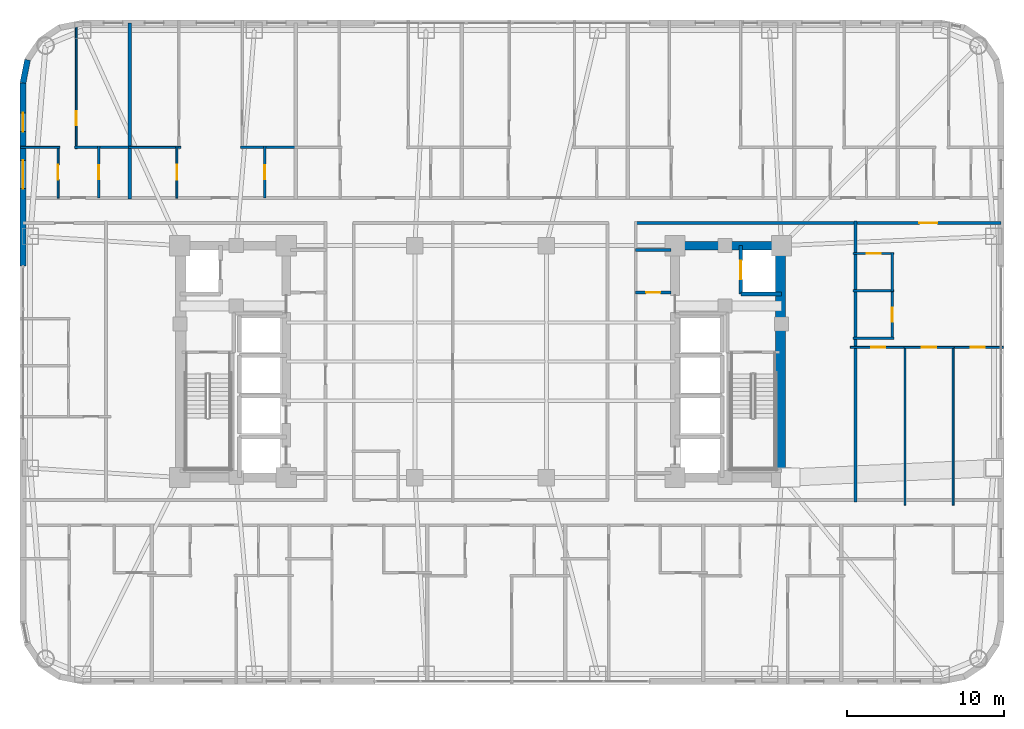
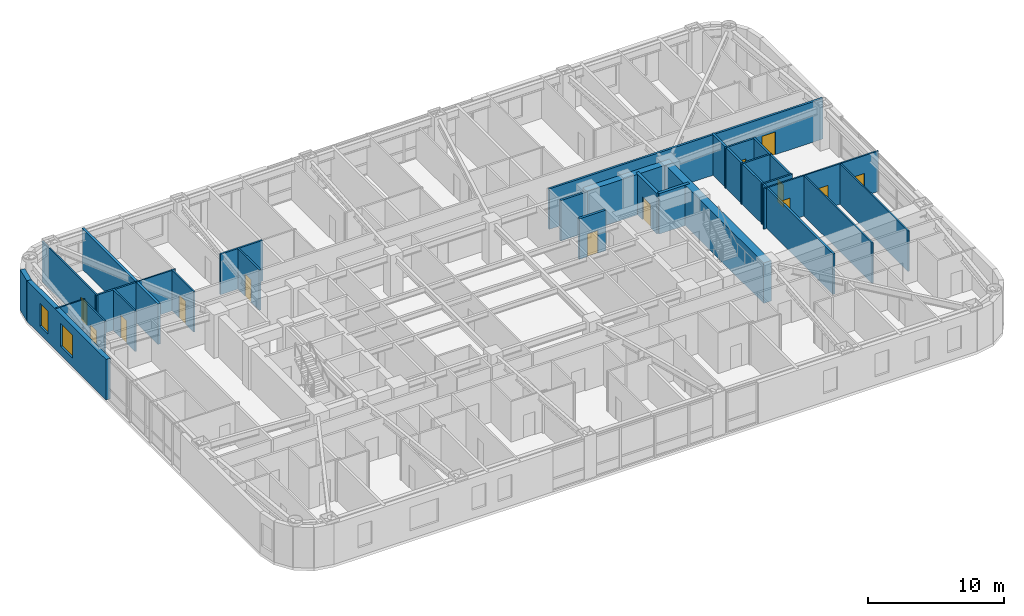
# One storey, part 24 of 28: 30 walls, 13 doors, 2 windows, 15 openings.
"""IFC4 building model written with IfcOpenShell, lengths in metres."""

from ifc_helpers import new_model, si_unit, direction, frame, frame_2d, origin, place, context, subcontext, project, spatial, rectangle, extrude, material, layer, layer_set, type_object, element, fill, save


model = new_model("IFC4")

# Units and contexts
model_context = context("Model", 3, precision=1e-05, world=origin(), true_north=direction((0.0, 1.0)))
body_context = subcontext(model_context, "Body", "Model", "MODEL_VIEW")
ifc_project = project(units=[si_unit("LENGTHUNIT", "METRE"), si_unit("AREAUNIT", "SQUARE_METRE"), si_unit("VOLUMEUNIT", "CUBIC_METRE"), si_unit("PLANEANGLEUNIT", "RADIAN"), si_unit("MASSUNIT", "GRAM", prefix="KILO")], contexts=[model_context])

# Site, building, storey
site_placement = place(None, origin())
site = spatial("IfcSite", under=ifc_project, at=site_placement, CompositionType="ELEMENT")
building_placement = place(site_placement, origin())
building = spatial("IfcBuilding", under=site, at=building_placement, Name="Voryun Gate Residences", CompositionType="ELEMENT")
storey_placement = place(building_placement, frame((0.0, 0.0, 117.0)))
storey = spatial("IfcBuildingStorey", under=building, at=storey_placement, Name="L28", CompositionType="ELEMENT", Elevation=117.0)

# Walls
ifc_material_1 = material(Name="Concrete C60/75", Category="concrete")
ifc_layer_1 = layer(ifc_material_1, 0.550048828125, Name="CW_CORE_550")
ifc_layer_set_1 = layer_set([ifc_layer_1], Name="Concrete C60/75")
wall_type_1 = type_object("IfcWallType", Name="CW_CORE_550", PredefinedType="SHEAR", material=ifc_layer_set_1)
wall_1_placement = place(storey_placement, frame((12.125, 7.39990234375, 0.0), z_axis=(0.0, 0.0, 1.0), x_axis=(1.0, 0.0, 0.0)))
element("IfcWall", 1, at=wall_1_placement, inside=storey, type_object=wall_type_1, Name="L28 Core shear wall CW-L28-EN", PredefinedType="SHEAR", context=body_context, shape_type="SweptSolid", body=[
    extrude(rectangle(XDim=7.35009765625, YDim=0.550048828125, at=frame_2d((3.675048828125, 0.0))), origin(), (0.0, 0.0, 1.0), 3.64990234375),
])
ifc_material_2 = material(Name="Concrete C60/75", Category="concrete")
ifc_layer_2 = layer(ifc_material_2, 0.64990234375, Name="CW_CORE_650")
ifc_layer_set_2 = layer_set([ifc_layer_2], Name="Concrete C60/75")
wall_type_2 = type_object("IfcWallType", Name="CW_CORE_650", PredefinedType="SHEAR", material=ifc_layer_set_2)
wall_2_placement = place(storey_placement, frame((19.14501953125, -7.39990234375, 0.0), z_axis=(0.0, 0.0, 1.0), x_axis=(0.0, 1.0, 0.0)))
element("IfcWall", 2, at=wall_2_placement, inside=storey, type_object=wall_type_2, Name="L28 Core shear wall CW-L28-EE", PredefinedType="SHEAR", context=body_context, shape_type="SweptSolid", body=[
    extrude(rectangle(XDim=14.7998046875, YDim=0.64990234375, at=frame_2d((7.39990234375, 0.0))), origin(), (0.0, 0.0, 1.0), 3.64990234375),
])
ifc_material_3 = material(Name="Gypsum acoustic fireboard")
ifc_layer_3 = layer(ifc_material_3, 0.179931640625, Name="W_CORR_RATED_180")
ifc_layer_set_3 = layer_set([ifc_layer_3], Name="Gypsum acoustic fireboard")
wall_type_3 = type_object("IfcWallType", Name="W_CORR_RATED_180", PredefinedType="PARTITIONING", material=ifc_layer_set_3)
wall_3_placement = place(storey_placement, frame((9.8798828125, 7.1201171875, 0.0), z_axis=(0.0, 0.0, 1.0), x_axis=(1.0, 0.0, 0.0)))
element("IfcWall", 3, at=wall_3_placement, inside=storey, type_object=wall_type_3, Name="Partition wall WP-L28-PLBN-E", PredefinedType="PARTITIONING", context=body_context, shape_type="SweptSolid", body=[
    extrude(rectangle(XDim=2.27001953125, YDim=0.179931640625, at=frame_2d((1.135009765625, 0.0))), origin(), (0.0, 0.0, 1.0), 3.64990234375),
])

# Wall, opening, door
wall_4_placement = place(storey_placement, frame((9.8798828125, 8.840087890625, 0.0), z_axis=(0.0, 0.0, 1.0), x_axis=(1.0, 0.0, 0.0)))
wall_4 = element("IfcWall", 4, at=wall_4_placement, inside=storey, type_object=wall_type_3, Name="Partition wall WP-L28-CWING-EN", PredefinedType="PARTITIONING", context=body_context, shape_type="SweptSolid", body=[
    extrude(rectangle(XDim=23.330078125, YDim=0.179931640625, at=frame_2d((11.6650390625, 0.0))), origin(), (0.0, 0.0, 1.0), 3.64990234375),
])
opening_1_placement = place(wall_4_placement, frame((18.11474609375, 0.0, 0.0)))
opening_1 = element("IfcOpeningElement", 5, at=opening_1_placement, cuts=wall_4, Name="Opening D-UNIT-1", PredefinedType="OPENING", context=body_context, shape_type="SweptSolid", body=[
    extrude(rectangle(XDim=1.14990234375, YDim=2.050048828125, at=frame_2d((0.574951171875, 1.02490234375))), frame((0.0, 0.099853515625, 0.0), z_axis=(0.0, -1.0, 0.0), x_axis=(1.0, 0.0, 0.0)), (0.0, 0.0, 1.0), 0.199951171875),
])
ifc_material_4 = material(Name="Armoured timber-clad fire door", Category="wood")
door_type_1 = type_object("IfcDoorType", Name="DR_UNIT_ENTRY_1150", OperationType="NOTDEFINED", PredefinedType="DOOR", material=ifc_material_4)
door_1_placement = place(opening_1_placement, origin())
door_1 = element("IfcDoor", 6, at=door_1_placement, inside=storey, type_object=door_type_1, Name="Door DR-L28-EE1N", OperationType="SINGLE_SWING_LEFT", OverallHeight=2.050048828125, OverallWidth=1.14990234375, PredefinedType="DOOR", context=body_context, shape_type="SweptSolid", body=[
    extrude(rectangle(XDim=1.14990234375, YDim=2.050048828125, at=frame_2d((0.574951171875, 1.02490234375))), frame((0.0, 0.02490234375, 0.0), z_axis=(0.0, -1.0, 0.0), x_axis=(1.0, 0.0, 0.0)), (0.0, 0.0, 1.0), 0.050048828125),
])
fill(opening_1, door_1)

# Wall
wall_5_placement = place(storey_placement, frame((23.919921875, -8.9599609375, 0.0), z_axis=(0.0, 0.0, 1.0), x_axis=(0.0, 1.0, 0.0)))
element("IfcWall", 7, at=wall_5_placement, inside=storey, type_object=wall_type_3, Name="Partition wall WP-L28-ECOR", PredefinedType="PARTITIONING", context=body_context, shape_type="SweptSolid", body=[
    extrude(rectangle(XDim=17.919921875, YDim=0.179931640625, at=frame_2d((8.9599609375, 0.0))), origin(), (0.0, 0.0, 1.0), 3.64990234375),
])

# Wall, openings, windows
ifc_material_5 = material(Name="Granite masonry", Category="masonry")
ifc_layer_4 = layer(ifc_material_5, 0.3798828125, Name="W_EXT_GRANITE_380")
ifc_layer_set_4 = layer_set([ifc_layer_4], Name="Granite masonry")
wall_type_4 = type_object("IfcWallType", Name="W_EXT_GRANITE_380", PredefinedType="ELEMENTEDWALL", material=ifc_layer_set_4)
wall_6_placement = place(storey_placement, frame((-29.2099609375, 6.097900390625, 0.0), z_axis=(0.0, 0.0, 1.0), x_axis=(0.0, 1.0, 0.0)))
wall_6 = element("IfcWall", 8, at=wall_6_placement, inside=storey, type_object=wall_type_4, Name="Exterior wall WEXT-L28-06B", PredefinedType="ELEMENTEDWALL", context=body_context, shape_type="SweptSolid", body=[
    extrude(rectangle(XDim=11.683349609375, YDim=0.3798828125, at=frame_2d((5.841796875, 0.0))), origin(), (0.0, 0.0, 1.0), 3.64990234375),
])
opening_2_placement = place(wall_6_placement, frame((4.941650390625, 0.0, 0.75)))
opening_2 = element("IfcOpeningElement", 9, at=opening_2_placement, cuts=wall_6, Name="Opening WN1", PredefinedType="OPENING", context=body_context, shape_type="SweptSolid", body=[
    extrude(rectangle(XDim=1.800048828125, YDim=2.10009765625, at=frame_2d((0.89990234375, 1.050048828125))), frame((0.0, 0.199951171875, 0.0), z_axis=(0.0, -1.0, 0.0), x_axis=(1.0, 0.0, 0.0)), (0.0, 0.0, 1.0), 0.39990234375),
])
opening_3_placement = place(wall_6_placement, frame((8.58251953125, 0.0, 0.75)))
opening_3 = element("IfcOpeningElement", 10, at=opening_3_placement, cuts=wall_6, Name="Opening WN6", PredefinedType="OPENING", context=body_context, shape_type="SweptSolid", body=[
    extrude(rectangle(XDim=1.199951171875, YDim=2.050048828125, at=frame_2d((0.60009765625, 1.02490234375))), frame((0.0, 0.199951171875, 0.0), z_axis=(0.0, -1.0, 0.0), x_axis=(1.0, 0.0, 0.0)), (0.0, 0.0, 1.0), 0.39990234375),
])
ifc_material_6 = material(Name="Laminated low-E glass", Category="glass")
window_type_1 = type_object("IfcWindowType", Name="WN_POD_SLOT_1200", PartitioningType="SINGLE_PANEL", PredefinedType="WINDOW", material=ifc_material_6)
window_1_placement = place(opening_3_placement, origin())
window_1 = element("IfcWindow", 11, at=window_1_placement, inside=storey, type_object=window_type_1, Name="Window WN-L28-DWFIX-01", OverallHeight=2.050048828125, OverallWidth=1.199951171875, PartitioningType="SINGLE_PANEL", PredefinedType="WINDOW", context=body_context, shape_type="SweptSolid", body=[
    extrude(rectangle(XDim=1.199951171875, YDim=2.050048828125, at=frame_2d((0.60009765625, 1.02490234375))), frame((0.0, 0.030029296875, 0.0), z_axis=(0.0, -1.0, 0.0), x_axis=(1.0, 0.0, 0.0)), (0.0, 0.0, 1.0), 0.06005859375),
])
fill(opening_3, window_1)
ifc_material_7 = material(Name="Laminated low-E glass", Category="glass")
window_type_2 = type_object("IfcWindowType", Name="WN_RES_PUNCH_1800", PartitioningType="SINGLE_PANEL", PredefinedType="WINDOW", material=ifc_material_7)
window_2_placement = place(opening_2_placement, origin())
window_2 = element("IfcWindow", 12, at=window_2_placement, inside=storey, type_object=window_type_2, Name="Window WN-WEXT-L28-06B-01", OverallHeight=2.10009765625, OverallWidth=1.800048828125, PartitioningType="SINGLE_PANEL", PredefinedType="WINDOW", context=body_context, shape_type="SweptSolid", body=[
    extrude(rectangle(XDim=1.800048828125, YDim=2.10009765625, at=frame_2d((0.89990234375, 1.050048828125))), frame((0.0, 0.030029296875, 0.0), z_axis=(0.0, -1.0, 0.0), x_axis=(1.0, 0.0, 0.0)), (0.0, 0.0, 1.0), 0.06005859375),
])
fill(opening_2, window_2)

# Wall
wall_7_placement = place(storey_placement, frame((-29.2099609375, 17.78125, 0.0), z_axis=(0.0, 0.0, 1.0), x_axis=(0.195086038585, 0.980786132421, 0.0)))
element("IfcWall", 13, at=wall_7_placement, inside=storey, type_object=wall_type_4, Name="Exterior wall WEXT-L28-07", PredefinedType="ELEMENTEDWALL", context=body_context, shape_type="SweptSolid", body=[
    extrude(rectangle(XDim=1.504150390625, YDim=0.3798828125, at=frame_2d((0.751953125, 0.0))), origin(), (0.0, 0.0, 1.0), 3.64990234375),
])

# Wall, opening, door
ifc_material_8 = material(Name="Concrete C40/50", Category="concrete")
ifc_layer_5 = layer(ifc_material_8, 0.199951171875, Name="W_FF_LOBBY_200")
ifc_layer_set_5 = layer_set([ifc_layer_5], Name="Concrete C40/50")
wall_type_5 = type_object("IfcWallType", Name="W_FF_LOBBY_200", PredefinedType="PARTITIONING", material=ifc_layer_set_5)
wall_8_placement = place(storey_placement, frame((9.8798828125, 4.409912109375, 0.0), z_axis=(0.0, 0.0, 1.0), x_axis=(1.0, 0.0, 0.0)))
wall_8 = element("IfcWall", 14, at=wall_8_placement, inside=storey, type_object=wall_type_5, Name="Partition wall WP-L28-CSFLKS-E", PredefinedType="PARTITIONING", context=body_context, shape_type="SweptSolid", body=[
    extrude(rectangle(XDim=2.27001953125, YDim=0.199951171875, at=frame_2d((1.135009765625, 0.0))), origin(), (0.0, 0.0, 1.0), 3.64990234375),
])
opening_4_placement = place(wall_8_placement, frame((0.68505859375, 0.0, 0.0)))
opening_4 = element("IfcOpeningElement", 15, at=opening_4_placement, cuts=wall_8, Name="Opening D-FD60-4", PredefinedType="OPENING", context=body_context, shape_type="SweptSolid", body=[
    extrude(rectangle(XDim=0.89990234375, YDim=2.050048828125, at=frame_2d((0.449951171875, 1.02490234375))), frame((0.0, 0.110107421875, 0.0), z_axis=(0.0, -1.0, 0.0), x_axis=(1.0, 0.0, 0.0)), (0.0, 0.0, 1.0), 0.219970703125),
])
ifc_material_9 = material(Name="Painted steel fire door", Category="steel")
door_type_2 = type_object("IfcDoorType", Name="DR_FD60_RISER_900", OperationType="NOTDEFINED", PredefinedType="DOOR", material=ifc_material_9)
door_2_placement = place(opening_4_placement, origin())
door_2 = element("IfcDoor", 16, at=door_2_placement, inside=storey, type_object=door_type_2, Name="Door DR-L28-CSFLK-E", OperationType="SINGLE_SWING_RIGHT", OverallHeight=2.050048828125, OverallWidth=0.89990234375, PredefinedType="DOOR", context=body_context, shape_type="SweptSolid", body=[
    extrude(rectangle(XDim=0.89990234375, YDim=2.050048828125, at=frame_2d((0.449951171875, 1.02490234375))), frame((0.0, 0.02490234375, 0.0), z_axis=(0.0, -1.0, 0.0), x_axis=(1.0, 0.0, 0.0)), (0.0, 0.0, 1.0), 0.050048828125),
])
fill(opening_4, door_2)

# Walls
ifc_material_10 = material(Name="Concrete C40/50", Category="concrete")
ifc_layer_6 = layer(ifc_material_10, 0.219970703125, Name="W_PARTY_ACOUSTIC_220")
ifc_layer_set_6 = layer_set([ifc_layer_6], Name="Concrete C40/50")
wall_type_6 = type_object("IfcWallType", Name="W_PARTY_ACOUSTIC_220", PredefinedType="PARTITIONING", material=ifc_layer_set_6)
wall_9_placement = place(storey_placement, frame((-22.39990234375, 10.3701171875, 0.0), z_axis=(0.0, 0.0, 1.0), x_axis=(0.0, 1.0, 0.0)))
element("IfcWall", 17, at=wall_9_placement, inside=storey, type_object=wall_type_6, Name="Partition wall WP-L28-NPTY-1", PredefinedType="PARTITIONING", context=body_context, shape_type="SweptSolid", body=[
    extrude(rectangle(XDim=11.239990234375, YDim=0.219970703125, at=frame_2d((5.6201171875, 0.0))), origin(), (0.0, 0.0, 1.0), 3.64990234375),
])
ifc_material_11 = material(Name="Concrete C50/60", Category="concrete")
ifc_layer_7 = layer(ifc_material_11, 0.25, Name="W_SHAFT_RC250")
ifc_layer_set_7 = layer_set([ifc_layer_7], Name="Concrete C50/60")
wall_type_7 = type_object("IfcWallType", Name="W_SHAFT_RC250", PredefinedType="SOLIDWALL", material=ifc_layer_set_7)
wall_10_placement = place(storey_placement, frame((16.60009765625, 4.300048828125, 0.0), z_axis=(0.0, 0.0, 1.0), x_axis=(1.0, 0.0, 0.0)))
element("IfcWall", 18, at=wall_10_placement, inside=storey, type_object=wall_type_7, Name="Lift shaft wall WSH-L28-EL-FF-E1-S", PredefinedType="SOLIDWALL", context=body_context, shape_type="SweptSolid", body=[
    extrude(rectangle(XDim=2.599853515625, YDim=0.25, at=frame_2d((1.2998046875, 0.0))), origin(), (0.0, 0.0, 1.0), 3.64990234375),
])

# Wall, opening, door
wall_11_placement = place(storey_placement, frame((16.60009765625, 7.39990234375, 0.0), z_axis=(0.0, 0.0, 1.0), x_axis=(0.0, -1.0, 0.0)))
wall_11 = element("IfcWall", 19, at=wall_11_placement, inside=storey, type_object=wall_type_7, Name="Lift shaft wall WSH-L28-EL-FF-E1-W", PredefinedType="SOLIDWALL", context=body_context, shape_type="SweptSolid", body=[
    extrude(rectangle(XDim=3.099853515625, YDim=0.25, at=frame_2d((1.5498046875, 0.0))), origin(), (0.0, 0.0, 1.0), 3.64990234375),
])
opening_5_placement = place(wall_11_placement, frame((0.949951171875, 0.0, 0.0)))
opening_5 = element("IfcOpeningElement", 20, at=opening_5_placement, cuts=wall_11, Name="Opening LD1", PredefinedType="OPENING", context=body_context, shape_type="SweptSolid", body=[
    extrude(rectangle(XDim=1.199951171875, YDim=2.050048828125, at=frame_2d((0.60009765625, 1.02490234375))), frame((0.0, 0.135009765625, 0.0), z_axis=(0.0, -1.0, 0.0), x_axis=(1.0, 0.0, 0.0)), (0.0, 0.0, 1.0), 0.27001953125),
])
ifc_material_12 = material(Name="Anodised aluminium", Category="aluminium")
door_type_3 = type_object("IfcDoorType", Name="DR_LD_FF_1200", OperationType="NOTDEFINED", PredefinedType="DOOR", material=ifc_material_12)
door_3_placement = place(opening_5_placement, origin())
door_3 = element("IfcDoor", 21, at=door_3_placement, inside=storey, type_object=door_type_3, Name="Lift EL-FF-E1 sliding landing door L28", OperationType="SLIDING_TO_LEFT", OverallHeight=2.050048828125, OverallWidth=1.199951171875, PredefinedType="DOOR", context=body_context, shape_type="SweptSolid", body=[
    extrude(rectangle(XDim=1.199951171875, YDim=2.050048828125, at=frame_2d((0.60009765625, 1.02490234375))), frame((0.0, 0.02490234375, 0.0), z_axis=(0.0, -1.0, 0.0), x_axis=(1.0, 0.0, 0.0)), (0.0, 0.0, 1.0), 0.050048828125),
])
fill(opening_5, door_3)

ifc_material_13 = material(Name="Gypsum acoustic partition")
ifc_layer_8 = layer(ifc_material_13, 0.125, Name="W_UNIT_PART_125")
ifc_layer_set_8 = layer_set([ifc_layer_8], Name="Gypsum acoustic partition")
wall_type_8 = type_object("IfcWallType", Name="W_UNIT_PART_125", PredefinedType="PARTITIONING", material=ifc_layer_set_8)
wall_12_placement = place(storey_placement, frame((-25.81005859375, 13.590087890625, 0.0), z_axis=(0.0, 0.0, 1.0), x_axis=(0.0, 1.0, 0.0)))
wall_12 = element("IfcWall", 22, at=wall_12_placement, inside=storey, type_object=wall_type_8, Name="Partition wall WP-L28-N1-OVR", PredefinedType="PARTITIONING", context=body_context, shape_type="SweptSolid", body=[
    extrude(rectangle(XDim=8.087646484375, YDim=0.125, at=frame_2d((4.0439453125, 0.0))), origin(), (0.0, 0.0, 1.0), 3.64990234375),
])
opening_6_placement = place(wall_12_placement, frame((1.490966796875, 0.0, 0.0)))
opening_6 = element("IfcOpeningElement", 23, at=opening_6_placement, cuts=wall_12, Name="Opening D-INT-2", PredefinedType="OPENING", context=body_context, shape_type="SweptSolid", body=[
    extrude(rectangle(XDim=0.89990234375, YDim=2.050048828125, at=frame_2d((0.449951171875, 1.02490234375))), frame((0.0, 0.072509765625, 0.0), z_axis=(0.0, -1.0, 0.0), x_axis=(1.0, 0.0, 0.0)), (0.0, 0.0, 1.0), 0.14501953125),
])
ifc_material_14 = material(Name="Architectural oak veneer")
door_type_4 = type_object("IfcDoorType", Name="DR_INT_BATH_900", OperationType="NOTDEFINED", PredefinedType="DOOR", material=ifc_material_14)
door_4_placement = place(opening_6_placement, origin())
door_4 = element("IfcDoor", 24, at=door_4_placement, inside=storey, type_object=door_type_4, Name="Door DR-L28-N1-DMB", OperationType="SINGLE_SWING_RIGHT", OverallHeight=2.050048828125, OverallWidth=0.89990234375, PredefinedType="DOOR", context=body_context, shape_type="SweptSolid", body=[
    extrude(rectangle(XDim=0.89990234375, YDim=2.050048828125, at=frame_2d((0.449951171875, 1.02490234375))), frame((0.0, 0.02490234375, 0.0), z_axis=(0.0, -1.0, 0.0), x_axis=(1.0, 0.0, 0.0)), (0.0, 0.0, 1.0), 0.050048828125),
])
fill(opening_6, door_4)

wall_13_placement = place(storey_placement, frame((-26.968017578125, 10.429931640625, 0.0), z_axis=(0.0, 0.0, 1.0), x_axis=(0.0, 1.0, 0.0)))
wall_13 = element("IfcWall", 25, at=wall_13_placement, inside=storey, type_object=wall_type_8, Name="Partition wall WP-L28-N1-IVK", PredefinedType="PARTITIONING", context=body_context, shape_type="SweptSolid", body=[
    extrude(rectangle(XDim=3.320068359375, YDim=0.125, at=frame_2d((1.66015625, 0.0))), origin(), (0.0, 0.0, 1.0), 3.64990234375),
])
opening_7_placement = place(wall_13_placement, frame((1.18505859375, 0.0, 0.0)))
opening_7 = element("IfcOpeningElement", 26, at=opening_7_placement, cuts=wall_13, Name="Opening D-INT-1", PredefinedType="OPENING", context=body_context, shape_type="SweptSolid", body=[
    extrude(rectangle(XDim=0.949951171875, YDim=2.050048828125, at=frame_2d((0.47509765625, 1.02490234375))), frame((0.0, 0.072509765625, 0.0), z_axis=(0.0, -1.0, 0.0), x_axis=(1.0, 0.0, 0.0)), (0.0, 0.0, 1.0), 0.14501953125),
])
ifc_material_15 = material(Name="Architectural oak veneer")
door_type_5 = type_object("IfcDoorType", Name="DR_INT_ROOM_950", OperationType="NOTDEFINED", PredefinedType="DOOR", material=ifc_material_15)
door_5_placement = place(opening_7_placement, origin())
door_5 = element("IfcDoor", 27, at=door_5_placement, inside=storey, type_object=door_type_5, Name="Door DR-L28-N1-DK", OperationType="SINGLE_SWING_LEFT", OverallHeight=2.050048828125, OverallWidth=0.949951171875, PredefinedType="DOOR", context=body_context, shape_type="SweptSolid", body=[
    extrude(rectangle(XDim=0.949951171875, YDim=2.050048828125, at=frame_2d((0.47509765625, 1.02490234375))), frame((0.0, 0.02490234375, 0.0), z_axis=(0.0, -1.0, 0.0), x_axis=(1.0, 0.0, 0.0)), (0.0, 0.0, 1.0), 0.050048828125),
])
fill(opening_7, door_5)

# Wall
wall_14_placement = place(storey_placement, frame((-29.360107421875, 13.669921875, 0.0), z_axis=(0.0, 0.0, 1.0), x_axis=(1.0, 0.0, 0.0)))
element("IfcWall", 28, at=wall_14_placement, inside=storey, type_object=wall_type_8, Name="Partition wall WP-L28-N1-HZK", PredefinedType="PARTITIONING", context=body_context, shape_type="SweptSolid", body=[
    extrude(rectangle(XDim=2.51220703125, YDim=0.125, at=frame_2d((1.256103515625, 0.0))), origin(), (0.0, 0.0, 1.0), 3.64990234375),
])

# Wall, opening, door
wall_15_placement = place(storey_placement, frame((-19.385009765625, 10.429931640625, 0.0), z_axis=(0.0, 0.0, 1.0), x_axis=(0.0, 1.0, 0.0)))
wall_15 = element("IfcWall", 29, at=wall_15_placement, inside=storey, type_object=wall_type_8, Name="Partition wall WP-L28-N2-IVK", PredefinedType="PARTITIONING", context=body_context, shape_type="SweptSolid", body=[
    extrude(rectangle(XDim=3.320068359375, YDim=0.125, at=frame_2d((1.66015625, 0.0))), origin(), (0.0, 0.0, 1.0), 3.64990234375),
])
opening_8_placement = place(wall_15_placement, frame((1.18505859375, 0.0, 0.0)))
opening_8 = element("IfcOpeningElement", 30, at=opening_8_placement, cuts=wall_15, Name="Opening D-INT-1", PredefinedType="OPENING", context=body_context, shape_type="SweptSolid", body=[
    extrude(rectangle(XDim=0.949951171875, YDim=2.050048828125, at=frame_2d((0.47509765625, 1.02490234375))), frame((0.0, 0.072509765625, 0.0), z_axis=(0.0, -1.0, 0.0), x_axis=(1.0, 0.0, 0.0)), (0.0, 0.0, 1.0), 0.14501953125),
])
door_6_placement = place(opening_8_placement, origin())
door_6 = element("IfcDoor", 31, at=door_6_placement, inside=storey, type_object=door_type_5, Name="Door DR-L28-N2-DK", OperationType="SINGLE_SWING_LEFT", OverallHeight=2.050048828125, OverallWidth=0.949951171875, PredefinedType="DOOR", context=body_context, shape_type="SweptSolid", body=[
    extrude(rectangle(XDim=0.949951171875, YDim=2.050048828125, at=frame_2d((0.47509765625, 1.02490234375))), frame((0.0, 0.02490234375, 0.0), z_axis=(0.0, -1.0, 0.0), x_axis=(1.0, 0.0, 0.0)), (0.0, 0.0, 1.0), 0.050048828125),
])
fill(opening_8, door_6)

# Wall
wall_16_placement = place(storey_placement, frame((-22.47509765625, 13.669921875, 0.0), z_axis=(0.0, 0.0, 1.0), x_axis=(1.0, 0.0, 0.0)))
element("IfcWall", 32, at=wall_16_placement, inside=storey, type_object=wall_type_8, Name="Partition wall WP-L28-N2-HZK", PredefinedType="PARTITIONING", context=body_context, shape_type="SweptSolid", body=[
    extrude(rectangle(XDim=3.336181640625, YDim=0.125, at=frame_2d((1.66796875, 0.0))), origin(), (0.0, 0.0, 1.0), 3.64990234375),
])

# Wall, opening, door
wall_17_placement = place(storey_placement, frame((23.60009765625, 0.909912109375, 0.0), z_axis=(0.0, 0.0, 1.0), x_axis=(1.0, 0.0, 0.0)))
wall_17 = element("IfcWall", 33, at=wall_17_placement, inside=storey, type_object=wall_type_8, Name="Partition wall WP-L28-E1-HZMB1", PredefinedType="PARTITIONING", context=body_context, shape_type="SweptSolid", body=[
    extrude(rectangle(XDim=3.54345703125, YDim=0.125, at=frame_2d((1.771728515625, 0.0))), origin(), (0.0, 0.0, 1.0), 3.64990234375),
])
opening_9_placement = place(wall_17_placement, frame((1.33056640625, 0.0, 0.0)))
opening_9 = element("IfcOpeningElement", 34, at=opening_9_placement, cuts=wall_17, Name="Opening D-INT-2", PredefinedType="OPENING", context=body_context, shape_type="SweptSolid", body=[
    extrude(rectangle(XDim=0.89990234375, YDim=2.050048828125, at=frame_2d((0.449951171875, 1.02490234375))), frame((0.0, 0.072509765625, 0.0), z_axis=(0.0, -1.0, 0.0), x_axis=(1.0, 0.0, 0.0)), (0.0, 0.0, 1.0), 0.14501953125),
])
door_7_placement = place(opening_9_placement, origin())
door_7 = element("IfcDoor", 35, at=door_7_placement, inside=storey, type_object=door_type_4, Name="Door DR-L28-E1-DMB", OperationType="SINGLE_SWING_LEFT", OverallHeight=2.050048828125, OverallWidth=0.89990234375, PredefinedType="DOOR", context=body_context, shape_type="SweptSolid", body=[
    extrude(rectangle(XDim=0.89990234375, YDim=2.050048828125, at=frame_2d((0.449951171875, 1.02490234375))), frame((0.0, 0.02490234375, 0.0), z_axis=(0.0, -1.0, 0.0), x_axis=(1.0, 0.0, 0.0)), (0.0, 0.0, 1.0), 0.050048828125),
])
fill(opening_9, door_7)

wall_18_placement = place(storey_placement, frame((27.0185546875, 0.909912109375, 0.0), z_axis=(0.0, 0.0, 1.0), x_axis=(1.0, 0.0, 0.0)))
wall_18 = element("IfcWall", 36, at=wall_18_placement, inside=storey, type_object=wall_type_8, Name="Partition wall WP-L28-E1-HZMB2", PredefinedType="PARTITIONING", context=body_context, shape_type="SweptSolid", body=[
    extrude(rectangle(XDim=3.19287109375, YDim=0.125, at=frame_2d((1.596435546875, 0.0))), origin(), (0.0, 0.0, 1.0), 3.64990234375),
])
opening_10_placement = place(wall_18_placement, frame((1.146484375, 0.0, 0.0)))
opening_10 = element("IfcOpeningElement", 37, at=opening_10_placement, cuts=wall_18, Name="Opening D-INT-2", PredefinedType="OPENING", context=body_context, shape_type="SweptSolid", body=[
    extrude(rectangle(XDim=0.89990234375, YDim=2.050048828125, at=frame_2d((0.449951171875, 1.02490234375))), frame((0.0, 0.072509765625, 0.0), z_axis=(0.0, -1.0, 0.0), x_axis=(1.0, 0.0, 0.0)), (0.0, 0.0, 1.0), 0.14501953125),
])
door_8_placement = place(opening_10_placement, origin())
door_8 = element("IfcDoor", 38, at=door_8_placement, inside=storey, type_object=door_type_4, Name="Door DR-L28-E1-DBD2", OperationType="SINGLE_SWING_RIGHT", OverallHeight=2.050048828125, OverallWidth=0.89990234375, PredefinedType="DOOR", context=body_context, shape_type="SweptSolid", body=[
    extrude(rectangle(XDim=0.89990234375, YDim=2.050048828125, at=frame_2d((0.449951171875, 1.02490234375))), frame((0.0, 0.02490234375, 0.0), z_axis=(0.0, -1.0, 0.0), x_axis=(1.0, 0.0, 0.0)), (0.0, 0.0, 1.0), 0.050048828125),
])
fill(opening_10, door_8)

wall_19_placement = place(storey_placement, frame((30.08642578125, 0.909912109375, 0.0), z_axis=(0.0, 0.0, 1.0), x_axis=(1.0, 0.0, 0.0)))
wall_19 = element("IfcWall", 39, at=wall_19_placement, inside=storey, type_object=wall_type_8, Name="Partition wall WP-L28-E1-HZMB3", PredefinedType="PARTITIONING", context=body_context, shape_type="SweptSolid", body=[
    extrude(rectangle(XDim=3.273681640625, YDim=0.125, at=frame_2d((1.63671875, 0.0))), origin(), (0.0, 0.0, 1.0), 3.64990234375),
])
opening_11_placement = place(wall_19_placement, frame((1.177978515625, 0.0, 0.0)))
opening_11 = element("IfcOpeningElement", 40, at=opening_11_placement, cuts=wall_19, Name="Opening D-INT-2", PredefinedType="OPENING", context=body_context, shape_type="SweptSolid", body=[
    extrude(rectangle(XDim=0.89990234375, YDim=2.050048828125, at=frame_2d((0.449951171875, 1.02490234375))), frame((0.0, 0.072509765625, 0.0), z_axis=(0.0, -1.0, 0.0), x_axis=(1.0, 0.0, 0.0)), (0.0, 0.0, 1.0), 0.14501953125),
])
door_9_placement = place(opening_11_placement, origin())
door_9 = element("IfcDoor", 41, at=door_9_placement, inside=storey, type_object=door_type_4, Name="Door DR-L28-E1-DBD3", OperationType="SINGLE_SWING_LEFT", OverallHeight=2.050048828125, OverallWidth=0.89990234375, PredefinedType="DOOR", context=body_context, shape_type="SweptSolid", body=[
    extrude(rectangle(XDim=0.89990234375, YDim=2.050048828125, at=frame_2d((0.449951171875, 1.02490234375))), frame((0.0, 0.02490234375, 0.0), z_axis=(0.0, -1.0, 0.0), x_axis=(1.0, 0.0, 0.0)), (0.0, 0.0, 1.0), 0.050048828125),
])
fill(opening_11, door_9)

# Walls
for number, where, z_axis, x_axis, name in (
    (42, (30.14892578125, -9.159912109375, 0.0), (0.0, 0.0, 1.0), (0.0, 1.0, 0.0), "Partition wall WP-L28-E1-VMB2"),
    (43, (27.0810546875, -9.159912109375, 0.0), (0.0, 0.0, 1.0), (0.0, 1.0, 0.0), "Partition wall WP-L28-E1-VMB"),
):
    element("IfcWall", number, at=place(storey_placement, frame(where, z_axis=z_axis, x_axis=x_axis)), inside=storey, type_object=wall_type_8, Name=name, PredefinedType="PARTITIONING", context=body_context, shape_type="SweptSolid", body=[
        extrude(rectangle(XDim=10.1298828125, YDim=0.125, at=frame_2d((5.06494140625, 0.0))), origin(), (0.0, 0.0, 1.0), 3.64990234375),
    ])
ifc_material_16 = material(Name="Gypsum moisture-resistant partition")
ifc_layer_9 = layer(ifc_material_16, 0.14990234375, Name="W_WET_PLUMB_150")
ifc_layer_set_9 = layer_set([ifc_layer_9], Name="Gypsum moisture-resistant partition")
wall_type_9 = type_object("IfcWallType", Name="W_WET_PLUMB_150", PredefinedType="PLUMBINGWALL", material=ifc_layer_set_9)
wall_20_placement = place(storey_placement, frame((-25.929931640625, 13.669921875, 0.0), z_axis=(0.0, 0.0, 1.0), x_axis=(1.0, 0.0, 0.0)))
element("IfcWall", 44, at=wall_20_placement, inside=storey, type_object=wall_type_9, Name="Partition wall WP-L28-N1-HZB", PredefinedType="PLUMBINGWALL", context=body_context, shape_type="SweptSolid", body=[
    extrude(rectangle(XDim=3.60498046875, YDim=0.14990234375, at=frame_2d((1.802490234375, 0.0))), origin(), (0.0, 0.0, 1.0), 3.64990234375),
])

# Wall, opening, door
wall_21_placement = place(storey_placement, frame((-24.3798828125, 10.429931640625, 0.0), z_axis=(0.0, 0.0, 1.0), x_axis=(0.0, 1.0, 0.0)))
wall_21 = element("IfcWall", 45, at=wall_21_placement, inside=storey, type_object=wall_type_9, Name="Partition wall WP-L28-N1-IVB", PredefinedType="PLUMBINGWALL", context=body_context, shape_type="SweptSolid", body=[
    extrude(rectangle(XDim=3.320068359375, YDim=0.14990234375, at=frame_2d((1.66015625, 0.0))), origin(), (0.0, 0.0, 1.0), 3.64990234375),
])
opening_12_placement = place(wall_21_placement, frame((1.2099609375, 0.0, 0.0)))
opening_12 = element("IfcOpeningElement", 46, at=opening_12_placement, cuts=wall_21, Name="Opening D-INT-2", PredefinedType="OPENING", context=body_context, shape_type="SweptSolid", body=[
    extrude(rectangle(XDim=0.89990234375, YDim=2.050048828125, at=frame_2d((0.449951171875, 1.02490234375))), frame((0.0, 0.0849609375, 0.0), z_axis=(0.0, -1.0, 0.0), x_axis=(1.0, 0.0, 0.0)), (0.0, 0.0, 1.0), 0.169921875),
])
door_10_placement = place(opening_12_placement, origin())
door_10 = element("IfcDoor", 47, at=door_10_placement, inside=storey, type_object=door_type_4, Name="Door DR-L28-N1-DB", OperationType="SINGLE_SWING_RIGHT", OverallHeight=2.050048828125, OverallWidth=0.89990234375, PredefinedType="DOOR", context=body_context, shape_type="SweptSolid", body=[
    extrude(rectangle(XDim=0.89990234375, YDim=2.050048828125, at=frame_2d((0.449951171875, 1.02490234375))), frame((0.0, 0.02490234375, 0.0), z_axis=(0.0, -1.0, 0.0), x_axis=(1.0, 0.0, 0.0)), (0.0, 0.0, 1.0), 0.050048828125),
])
fill(opening_12, door_10)

# Wall
wall_22_placement = place(storey_placement, frame((-15.330078125, 13.669921875, 0.0), z_axis=(0.0, 0.0, 1.0), x_axis=(1.0, 0.0, 0.0)))
element("IfcWall", 48, at=wall_22_placement, inside=storey, type_object=wall_type_9, Name="Partition wall WP-L28-N2-HZB", PredefinedType="PLUMBINGWALL", context=body_context, shape_type="SweptSolid", body=[
    extrude(rectangle(XDim=3.60498046875, YDim=0.14990234375, at=frame_2d((1.802490234375, 0.0))), origin(), (0.0, 0.0, 1.0), 3.64990234375),
])

# Wall, opening, door
wall_23_placement = place(storey_placement, frame((-13.780029296875, 10.429931640625, 0.0), z_axis=(0.0, 0.0, 1.0), x_axis=(0.0, 1.0, 0.0)))
wall_23 = element("IfcWall", 49, at=wall_23_placement, inside=storey, type_object=wall_type_9, Name="Partition wall WP-L28-N2-IVB", PredefinedType="PLUMBINGWALL", context=body_context, shape_type="SweptSolid", body=[
    extrude(rectangle(XDim=3.320068359375, YDim=0.14990234375, at=frame_2d((1.66015625, 0.0))), origin(), (0.0, 0.0, 1.0), 3.64990234375),
])
opening_13_placement = place(wall_23_placement, frame((1.2099609375, 0.0, 0.0)))
opening_13 = element("IfcOpeningElement", 50, at=opening_13_placement, cuts=wall_23, Name="Opening D-INT-2", PredefinedType="OPENING", context=body_context, shape_type="SweptSolid", body=[
    extrude(rectangle(XDim=0.89990234375, YDim=2.050048828125, at=frame_2d((0.449951171875, 1.02490234375))), frame((0.0, 0.0849609375, 0.0), z_axis=(0.0, -1.0, 0.0), x_axis=(1.0, 0.0, 0.0)), (0.0, 0.0, 1.0), 0.169921875),
])
door_11_placement = place(opening_13_placement, origin())
door_11 = element("IfcDoor", 51, at=door_11_placement, inside=storey, type_object=door_type_4, Name="Door DR-L28-N2-DB", OperationType="SINGLE_SWING_RIGHT", OverallHeight=2.050048828125, OverallWidth=0.89990234375, PredefinedType="DOOR", context=body_context, shape_type="SweptSolid", body=[
    extrude(rectangle(XDim=0.89990234375, YDim=2.050048828125, at=frame_2d((0.449951171875, 1.02490234375))), frame((0.0, 0.02490234375, 0.0), z_axis=(0.0, -1.0, 0.0), x_axis=(1.0, 0.0, 0.0)), (0.0, 0.0, 1.0), 0.050048828125),
])
fill(opening_13, door_11)

wall_24_placement = place(storey_placement, frame((23.77001953125, 6.89990234375, 0.0), z_axis=(0.0, 0.0, 1.0), x_axis=(1.0, 0.0, 0.0)))
wall_24 = element("IfcWall", 52, at=wall_24_placement, inside=storey, type_object=wall_type_9, Name="Partition wall WP-L28-E1-IBT", PredefinedType="PLUMBINGWALL", context=body_context, shape_type="SweptSolid", body=[
    extrude(rectangle(XDim=2.619873046875, YDim=0.14990234375, at=frame_2d((1.31005859375, 0.0))), origin(), (0.0, 0.0, 1.0), 3.64990234375),
])
opening_14_placement = place(wall_24_placement, frame((0.860107421875, 0.0, 0.0)))
opening_14 = element("IfcOpeningElement", 53, at=opening_14_placement, cuts=wall_24, Name="Opening D-INT-2", PredefinedType="OPENING", context=body_context, shape_type="SweptSolid", body=[
    extrude(rectangle(XDim=0.89990234375, YDim=2.050048828125, at=frame_2d((0.449951171875, 1.02490234375))), frame((0.0, 0.0849609375, 0.0), z_axis=(0.0, -1.0, 0.0), x_axis=(1.0, 0.0, 0.0)), (0.0, 0.0, 1.0), 0.169921875),
])
door_12_placement = place(opening_14_placement, origin())
door_12 = element("IfcDoor", 54, at=door_12_placement, inside=storey, type_object=door_type_4, Name="Door DR-L28-E1-DK", OperationType="SINGLE_SWING_LEFT", OverallHeight=2.050048828125, OverallWidth=0.89990234375, PredefinedType="DOOR", context=body_context, shape_type="SweptSolid", body=[
    extrude(rectangle(XDim=0.89990234375, YDim=2.050048828125, at=frame_2d((0.449951171875, 1.02490234375))), frame((0.0, 0.02490234375, 0.0), z_axis=(0.0, -1.0, 0.0), x_axis=(1.0, 0.0, 0.0)), (0.0, 0.0, 1.0), 0.050048828125),
])
fill(opening_14, door_12)

# Walls
for number, where, z_axis, x_axis, name in (
    (55, (23.77001953125, 4.52001953125, 0.0), (0.0, 0.0, 1.0), (1.0, 0.0, 0.0), "Partition wall WP-L28-E1-IKB"),
    (56, (23.77001953125, 1.5, 0.0), (0.0, 0.0, 1.0), (1.0, 0.0, 0.0), "Partition wall WP-L28-E1-IBB"),
):
    element("IfcWall", number, at=place(storey_placement, frame(where, z_axis=z_axis, x_axis=x_axis)), inside=storey, type_object=wall_type_9, Name=name, PredefinedType="PLUMBINGWALL", context=body_context, shape_type="SweptSolid", body=[
        extrude(rectangle(XDim=2.619873046875, YDim=0.14990234375, at=frame_2d((1.31005859375, 0.0))), origin(), (0.0, 0.0, 1.0), 3.64990234375),
    ])

# Wall, opening, door
wall_25_placement = place(storey_placement, frame((26.27001953125, 1.43994140625, 0.0), z_axis=(0.0, 0.0, 1.0), x_axis=(0.0, 1.0, 0.0)))
wall_25 = element("IfcWall", 57, at=wall_25_placement, inside=storey, type_object=wall_type_9, Name="Partition wall WP-L28-E1-VTSK1", PredefinedType="PLUMBINGWALL", context=body_context, shape_type="SweptSolid", body=[
    extrude(rectangle(XDim=3.1201171875, YDim=0.14990234375, at=frame_2d((1.56005859375, 0.0))), origin(), (0.0, 0.0, 1.0), 3.64990234375),
])
opening_15_placement = place(wall_25_placement, frame((1.110107421875, 0.0, 0.0)))
opening_15 = element("IfcOpeningElement", 58, at=opening_15_placement, cuts=wall_25, Name="Opening D-INT-2", PredefinedType="OPENING", context=body_context, shape_type="SweptSolid", body=[
    extrude(rectangle(XDim=0.89990234375, YDim=2.050048828125, at=frame_2d((0.449951171875, 1.02490234375))), frame((0.0, 0.0849609375, 0.0), z_axis=(0.0, -1.0, 0.0), x_axis=(1.0, 0.0, 0.0)), (0.0, 0.0, 1.0), 0.169921875),
])
door_13_placement = place(opening_15_placement, origin())
door_13 = element("IfcDoor", 59, at=door_13_placement, inside=storey, type_object=door_type_4, Name="Door DR-L28-E1-DB", OperationType="SINGLE_SWING_RIGHT", OverallHeight=2.050048828125, OverallWidth=0.89990234375, PredefinedType="DOOR", context=body_context, shape_type="SweptSolid", body=[
    extrude(rectangle(XDim=0.89990234375, YDim=2.050048828125, at=frame_2d((0.449951171875, 1.02490234375))), frame((0.0, 0.02490234375, 0.0), z_axis=(0.0, -1.0, 0.0), x_axis=(1.0, 0.0, 0.0)), (0.0, 0.0, 1.0), 0.050048828125),
])
fill(opening_15, door_13)

# Wall
wall_26_placement = place(storey_placement, frame((26.27001953125, 4.47998046875, 0.0), z_axis=(0.0, 0.0, 1.0), x_axis=(0.0, 1.0, 0.0)))
element("IfcWall", 60, at=wall_26_placement, inside=storey, type_object=wall_type_9, Name="Partition wall WP-L28-E1-VTSK2", PredefinedType="PLUMBINGWALL", context=body_context, shape_type="SweptSolid", body=[
    extrude(rectangle(XDim=2.47998046875, YDim=0.14990234375, at=frame_2d((1.239990234375, 0.0))), origin(), (0.0, 0.0, 1.0), 3.64990234375),
])

save(model, "model.ifc")
